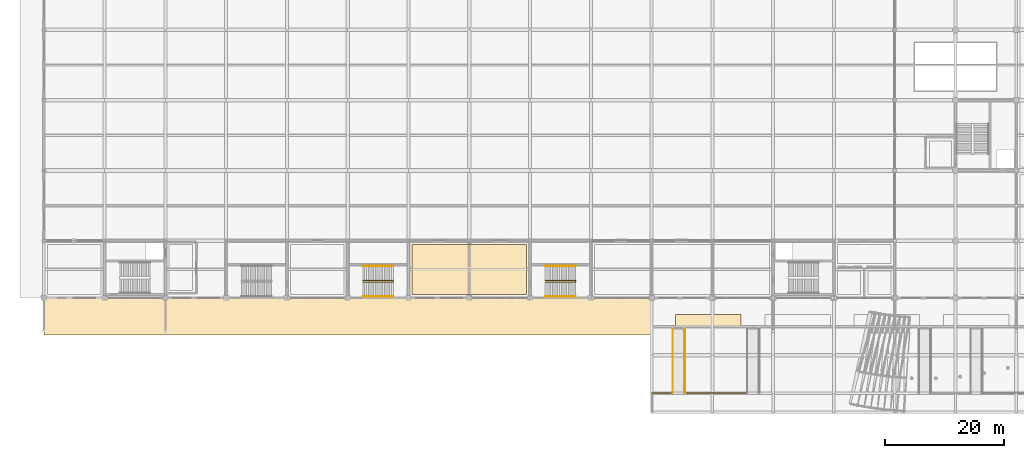
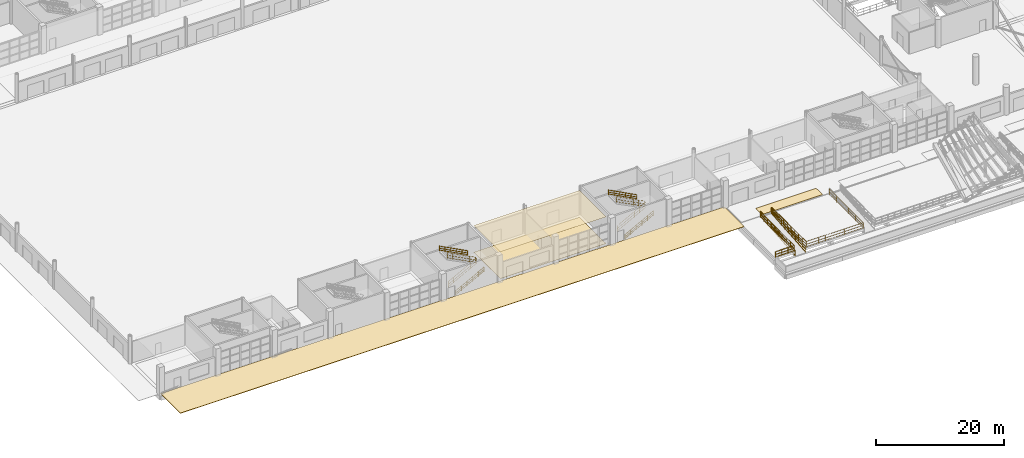
# One storey, part 109 of 124: 11 railings, 4 coverings.
"""IFC4 building model written with IfcOpenShell, lengths in metres."""

from ifc_helpers import new_model, si_unit, direction, frame, origin, origin_2d, place, context, subcontext, project, spatial, polyline, circle, outline, extrude, material, layer, layer_set, type_object, element, save


model = new_model("IFC4")

# Units and contexts
model_context = context("Model", 3, precision=1e-05, world=origin(), true_north=direction((0.0, 1.0)))
body_context = subcontext(model_context, "Body", "Model", "MODEL_VIEW")
ifc_project = project(units=[si_unit("LENGTHUNIT", "METRE"), si_unit("AREAUNIT", "SQUARE_METRE"), si_unit("VOLUMEUNIT", "CUBIC_METRE"), si_unit("PLANEANGLEUNIT", "RADIAN"), si_unit("MASSUNIT", "GRAM", prefix="KILO")], contexts=[model_context])

# Site, building, storey
site_placement = place(None, origin())
site = spatial("IfcSite", under=ifc_project, at=site_placement, CompositionType="ELEMENT")
building_placement = place(site_placement, origin())
building = spatial("IfcBuilding", under=site, at=building_placement, Name="Brelvane Convention Centre", CompositionType="ELEMENT")
storey_placement = place(building_placement, origin())
storey = spatial("IfcBuildingStorey", under=building, at=storey_placement, Name="L00", CompositionType="ELEMENT", Elevation=0.0)

# Coverings
ifc_material_1 = material(Name="Moisture-Resistant Acoustic Gypsum Ceiling Tile Grade A")
ifc_layer_1 = layer(ifc_material_1, 0.01806640625)
ifc_layer_set_1 = layer_set([ifc_layer_1], Name="Moisture-Resistant Acoustic Gypsum Ceiling Tile Grade A")
covering_type_1 = type_object("IfcCoveringType", Name="Interior Finish CL-GYP-18", PredefinedType="CEILING", material=ifc_layer_set_1)
covering_1_placement = place(storey_placement, frame((0.0, 0.0, 5.1220703125)))
element("IfcCovering", 1, at=covering_1_placement, inside=storey, type_object=covering_type_1, Name="Delegate Accreditation Desk Hall Acoustic Ceiling (CL-GYP-18)", PredefinedType="CEILING", context=body_context, shape_type="SweptSolid", body=[
    extrude(outline(polyline([(61.830078125, 19.830078125), (80.969970703125, 19.830078125), (80.969970703125, 28.169921875), (61.830078125, 28.169921875), (61.830078125, 19.830078125)])), origin(), (0.0, 0.0, 1.0), 0.017822265625),
])
ifc_material_2 = material(Name="Solution-Dyed Heavy Contract Wool Carpet Class 1")
ifc_layer_2 = layer(ifc_material_2, 0.02197265625)
ifc_layer_set_2 = layer_set([ifc_layer_2], Name="Solution-Dyed Heavy Contract Wool Carpet Class 1")
covering_type_2 = type_object("IfcCoveringType", Name="Interior Finish FL-CPT-22", PredefinedType="FLOORING", material=ifc_layer_set_2)
covering_2_placement = place(storey_placement, origin())
element("IfcCovering", 2, at=covering_2_placement, inside=storey, type_object=covering_type_2, Name="Delegate Accreditation Desk Hall Floor Finish (FL-CPT-22)", PredefinedType="FLOORING", context=body_context, shape_type="SweptSolid", body=[
    extrude(outline(polyline([(61.830078125, 19.830078125), (80.969970703125, 19.830078125), (80.969970703125, 28.169921875), (61.830078125, 28.169921875), (61.830078125, 19.830078125)])), origin(), (0.0, 0.0, 1.0), 0.02197265625),
])
ifc_material_3 = material(Name="Concrete M40", Category="concrete")
ifc_layer_3 = layer(ifc_material_3, 0.080078125)
ifc_layer_set_3 = layer_set([ifc_layer_3], Name="Concrete M40")
covering_type_3 = type_object("IfcCoveringType", Name="Outdoor Plaza Paving PV-80", PredefinedType="USERDEFINED", material=ifc_layer_set_3)
covering_3_placement = place(storey_placement, origin())
element("IfcCovering", 3, at=covering_3_placement, inside=storey, type_object=covering_type_3, Name="Outdoor Arrival Plaza Paving SOUTH-FORECOURT-W", ObjectType="PAVING", PredefinedType="USERDEFINED", context=body_context, shape_type="SweptSolid", body=[
    extrude(outline(polyline([(0.0, 13.0), (102.0, 13.0), (102.0, 19.199951171875), (0.0, 19.199951171875), (0.0, 13.0)])), origin(), (0.0, 0.0, 1.0), 0.080078125),
])
covering_4_placement = place(storey_placement, origin())
element("IfcCovering", 4, at=covering_4_placement, inside=storey, type_object=covering_type_3, Name="Boulevard Promenade Stone Walk 1", ObjectType="PAVING", PredefinedType="USERDEFINED", context=body_context, shape_type="SweptSolid", body=[
    extrude(outline(polyline([(106.0, 14.39990234375), (117.0, 14.39990234375), (117.0, 16.39990234375), (106.0, 16.39990234375), (106.0, 14.39990234375)])), origin(), (0.0, 0.0, 1.0), 0.080078125),
])

# Railings
ifc_material_4 = material(Name="Steel E350 (350 MPa)", Category="steel")
railing_type_1 = type_object("IfcRailingType", Name="Railing GR-EXT-1", PredefinedType="GUARDRAIL", material=ifc_material_4)
railing_1_placement = place(storey_placement, frame((102.080078125, 3.280029296875, 0.0)))
element("IfcRailing", 5, at=railing_1_placement, inside=storey, type_object=railing_type_1, Name="Railing GR-EXT-1 L00-plaza_step_seg_1", PredefinedType="GUARDRAIL", context=body_context, shape_type="SweptSolid", body=[
    extrude(circle(Radius=0.02392578125, at=origin_2d()), frame((0.0, 0.0, 1.1259765625), z_axis=(1.0, 0.0, 0.0), x_axis=(0.0, 1.0, 0.0)), (0.0, 0.0, 1.0), 3.35986328125),
    extrude(circle(Radius=0.02392578125, at=origin_2d()), frame((0.0, 0.0, 0.597900390625), z_axis=(1.0, 0.0, 0.0), x_axis=(0.0, 1.0, 0.0)), (0.0, 0.0, 1.0), 3.35986328125),
    extrude(circle(Radius=0.02392578125, at=origin_2d()), frame((0.0, 0.0, 0.139892578125), z_axis=(1.0, 0.0, 0.0), x_axis=(0.0, 1.0, 0.0)), (0.0, 0.0, 1.0), 3.35986328125),
    extrude(circle(Radius=0.02392578125, at=origin_2d()), frame((3.35986328125, 0.0, 1.1259765625), z_axis=(0.0, 1.0, 0.0), x_axis=(-1.0, 0.0, 0.0)), (0.0, 0.0, 1.0), 10.659912109375),
    extrude(circle(Radius=0.02392578125, at=origin_2d()), frame((3.35986328125, 0.0, 0.597900390625), z_axis=(0.0, 1.0, 0.0), x_axis=(-1.0, 0.0, 0.0)), (0.0, 0.0, 1.0), 10.659912109375),
    extrude(circle(Radius=0.02392578125, at=origin_2d()), frame((3.35986328125, 0.0, 0.139892578125), z_axis=(0.0, 1.0, 0.0), x_axis=(-1.0, 0.0, 0.0)), (0.0, 0.0, 1.0), 10.659912109375),
    extrude(circle(Radius=0.02099609375, at=origin_2d()), origin(), (0.0, 0.0, 1.0), 1.101806640625),
    extrude(circle(Radius=0.02099609375, at=origin_2d()), frame((1.119873046875, 0.0, 0.0)), (0.0, 0.0, 1.0), 1.101806640625),
    extrude(circle(Radius=0.02099609375, at=origin_2d()), frame((2.239990234375, 0.0, 0.0)), (0.0, 0.0, 1.0), 1.101806640625),
    extrude(circle(Radius=0.02099609375, at=origin_2d()), frame((3.35986328125, 0.0, 0.0)), (0.0, 0.0, 1.0), 1.101806640625),
    extrude(circle(Radius=0.02099609375, at=origin_2d()), frame((3.35986328125, 1.184326171875, 0.0)), (0.0, 0.0, 1.0), 1.101806640625),
    extrude(circle(Radius=0.02099609375, at=origin_2d()), frame((3.35986328125, 2.368896484375, 0.0)), (0.0, 0.0, 1.0), 1.101806640625),
    extrude(circle(Radius=0.02099609375, at=origin_2d()), frame((3.35986328125, 3.55322265625, 0.0)), (0.0, 0.0, 1.0), 1.101806640625),
    extrude(circle(Radius=0.02099609375, at=origin_2d()), frame((3.35986328125, 4.73779296875, 0.0)), (0.0, 0.0, 1.0), 1.101806640625),
    extrude(circle(Radius=0.02099609375, at=origin_2d()), frame((3.35986328125, 5.922119140625, 0.0)), (0.0, 0.0, 1.0), 1.101806640625),
    extrude(circle(Radius=0.02099609375, at=origin_2d()), frame((3.35986328125, 7.106689453125, 0.0)), (0.0, 0.0, 1.0), 1.101806640625),
    extrude(circle(Radius=0.02099609375, at=origin_2d()), frame((3.35986328125, 8.291015625, 0.0)), (0.0, 0.0, 1.0), 1.101806640625),
    extrude(circle(Radius=0.02099609375, at=origin_2d()), frame((3.35986328125, 9.4755859375, 0.0)), (0.0, 0.0, 1.0), 1.101806640625),
    extrude(circle(Radius=0.02099609375, at=origin_2d()), frame((3.35986328125, 10.659912109375, 0.0)), (0.0, 0.0, 1.0), 1.101806640625),
])
railing_2_placement = place(storey_placement, frame((107.60009765625, 13.93994140625, 0.0)))
element("IfcRailing", 6, at=railing_2_placement, inside=storey, type_object=railing_type_1, Name="Railing GR-EXT-1 L00-plaza_ramp_e_1", PredefinedType="GUARDRAIL", context=body_context, shape_type="SweptSolid", body=[
    extrude(circle(Radius=0.02392578125, at=origin_2d()), frame((0.0, 0.0, 1.1259765625), z_axis=(0.0, -1.0, 0.0), x_axis=(1.0, 0.0, 0.0)), (0.0, 0.0, 1.0), 10.659912109375),
    extrude(circle(Radius=0.02392578125, at=origin_2d()), frame((0.0, 0.0, 0.597900390625), z_axis=(0.0, -1.0, 0.0), x_axis=(1.0, 0.0, 0.0)), (0.0, 0.0, 1.0), 10.659912109375),
    extrude(circle(Radius=0.02392578125, at=origin_2d()), frame((0.0, 0.0, 0.139892578125), z_axis=(0.0, -1.0, 0.0), x_axis=(1.0, 0.0, 0.0)), (0.0, 0.0, 1.0), 10.659912109375),
    extrude(circle(Radius=0.02099609375, at=origin_2d()), origin(), (0.0, 0.0, 1.0), 1.101806640625),
    extrude(circle(Radius=0.02099609375, at=origin_2d()), frame((0.0, -1.184326171875, 0.0)), (0.0, 0.0, 1.0), 1.101806640625),
    extrude(circle(Radius=0.02099609375, at=origin_2d()), frame((0.0, -2.368896484375, 0.0)), (0.0, 0.0, 1.0), 1.101806640625),
    extrude(circle(Radius=0.02099609375, at=origin_2d()), frame((0.0, -3.55322265625, 0.0)), (0.0, 0.0, 1.0), 1.101806640625),
    extrude(circle(Radius=0.02099609375, at=origin_2d()), frame((0.0, -4.73779296875, 0.0)), (0.0, 0.0, 1.0), 1.101806640625),
    extrude(circle(Radius=0.02099609375, at=origin_2d()), frame((0.0, -5.922119140625, 0.0)), (0.0, 0.0, 1.0), 1.101806640625),
    extrude(circle(Radius=0.02099609375, at=origin_2d()), frame((0.0, -7.106689453125, 0.0)), (0.0, 0.0, 1.0), 1.101806640625),
    extrude(circle(Radius=0.02099609375, at=origin_2d()), frame((0.0, -8.291015625, 0.0)), (0.0, 0.0, 1.0), 1.101806640625),
    extrude(circle(Radius=0.02099609375, at=origin_2d()), frame((0.0, -9.4755859375, 0.0)), (0.0, 0.0, 1.0), 1.101806640625),
    extrude(circle(Radius=0.02099609375, at=origin_2d()), frame((0.0, -10.659912109375, 0.0)), (0.0, 0.0, 1.0), 1.101806640625),
])
railing_3_placement = place(storey_placement, frame((105.56005859375, 3.199951171875, -0.89990234375)))
element("IfcRailing", 7, at=railing_3_placement, inside=storey, type_object=railing_type_1, Name="Ramp AR-01 Sloped Guard (W)", PredefinedType="GUARDRAIL", context=body_context, shape_type="SweptSolid", body=[
    extrude(circle(Radius=0.02392578125, at=origin_2d()), frame((0.0, 0.0, 1.1259765625), z_axis=(0.0, 0.99654653501, 0.083036158149), x_axis=(-1.0, 0.0, 0.0)), (0.0, 0.0, 1.0), 10.83740234375),
    extrude(circle(Radius=0.02392578125, at=origin_2d()), frame((0.0, 0.0, 0.597900390625), z_axis=(0.0, 0.99654653501, 0.083036158149), x_axis=(-1.0, 0.0, 0.0)), (0.0, 0.0, 1.0), 10.83740234375),
    extrude(circle(Radius=0.02392578125, at=origin_2d()), frame((0.0, 0.0, 0.139892578125), z_axis=(0.0, 0.99654653501, 0.083036158149), x_axis=(-1.0, 0.0, 0.0)), (0.0, 0.0, 1.0), 10.83740234375),
    extrude(circle(Radius=0.02099609375, at=origin_2d()), origin(), (0.0, 0.0, 1.0), 1.101806640625),
    extrude(circle(Radius=0.02099609375, at=origin_2d()), frame((0.0, 1.080078125, 0.090087890625)), (0.0, 0.0, 1.0), 1.101806640625),
    extrude(circle(Radius=0.02099609375, at=origin_2d()), frame((0.0, 2.159912109375, 0.179931640625)), (0.0, 0.0, 1.0), 1.101806640625),
    extrude(circle(Radius=0.02099609375, at=origin_2d()), frame((0.0, 3.239990234375, 0.27001953125)), (0.0, 0.0, 1.0), 1.101806640625),
    extrude(circle(Radius=0.02099609375, at=origin_2d()), frame((0.0, 4.320068359375, 0.35986328125)), (0.0, 0.0, 1.0), 1.101806640625),
    extrude(circle(Radius=0.02099609375, at=origin_2d()), frame((0.0, 5.39990234375, 0.449951171875)), (0.0, 0.0, 1.0), 1.101806640625),
    extrude(circle(Radius=0.02099609375, at=origin_2d()), frame((0.0, 6.47998046875, 0.5400390625)), (0.0, 0.0, 1.0), 1.101806640625),
    extrude(circle(Radius=0.02099609375, at=origin_2d()), frame((0.0, 7.56005859375, 0.6298828125)), (0.0, 0.0, 1.0), 1.101806640625),
    extrude(circle(Radius=0.02099609375, at=origin_2d()), frame((0.0, 8.64013671875, 0.719970703125)), (0.0, 0.0, 1.0), 1.101806640625),
    extrude(circle(Radius=0.02099609375, at=origin_2d()), frame((0.0, 9.719970703125, 0.809814453125)), (0.0, 0.0, 1.0), 1.101806640625),
    extrude(circle(Radius=0.02099609375, at=origin_2d()), frame((0.0, 10.800048828125, 0.89990234375)), (0.0, 0.0, 1.0), 1.101806640625),
])
railing_4_placement = place(storey_placement, frame((107.47998046875, 3.199951171875, -0.89990234375)))
element("IfcRailing", 8, at=railing_4_placement, inside=storey, type_object=railing_type_1, Name="Ramp AR-01 Sloped Guard (E)", PredefinedType="GUARDRAIL", context=body_context, shape_type="SweptSolid", body=[
    extrude(circle(Radius=0.02392578125, at=origin_2d()), frame((0.0, 0.0, 1.1259765625), z_axis=(0.0, 0.99654653501, 0.083036158149), x_axis=(-1.0, 0.0, 0.0)), (0.0, 0.0, 1.0), 10.83740234375),
    extrude(circle(Radius=0.02392578125, at=origin_2d()), frame((0.0, 0.0, 0.597900390625), z_axis=(0.0, 0.99654653501, 0.083036158149), x_axis=(-1.0, 0.0, 0.0)), (0.0, 0.0, 1.0), 10.83740234375),
    extrude(circle(Radius=0.02392578125, at=origin_2d()), frame((0.0, 0.0, 0.139892578125), z_axis=(0.0, 0.99654653501, 0.083036158149), x_axis=(-1.0, 0.0, 0.0)), (0.0, 0.0, 1.0), 10.83740234375),
    extrude(circle(Radius=0.02099609375, at=origin_2d()), origin(), (0.0, 0.0, 1.0), 1.101806640625),
    extrude(circle(Radius=0.02099609375, at=origin_2d()), frame((0.0, 1.080078125, 0.090087890625)), (0.0, 0.0, 1.0), 1.101806640625),
    extrude(circle(Radius=0.02099609375, at=origin_2d()), frame((0.0, 2.159912109375, 0.179931640625)), (0.0, 0.0, 1.0), 1.101806640625),
    extrude(circle(Radius=0.02099609375, at=origin_2d()), frame((0.0, 3.239990234375, 0.27001953125)), (0.0, 0.0, 1.0), 1.101806640625),
    extrude(circle(Radius=0.02099609375, at=origin_2d()), frame((0.0, 4.320068359375, 0.35986328125)), (0.0, 0.0, 1.0), 1.101806640625),
    extrude(circle(Radius=0.02099609375, at=origin_2d()), frame((0.0, 5.39990234375, 0.449951171875)), (0.0, 0.0, 1.0), 1.101806640625),
    extrude(circle(Radius=0.02099609375, at=origin_2d()), frame((0.0, 6.47998046875, 0.5400390625)), (0.0, 0.0, 1.0), 1.101806640625),
    extrude(circle(Radius=0.02099609375, at=origin_2d()), frame((0.0, 7.56005859375, 0.6298828125)), (0.0, 0.0, 1.0), 1.101806640625),
    extrude(circle(Radius=0.02099609375, at=origin_2d()), frame((0.0, 8.64013671875, 0.719970703125)), (0.0, 0.0, 1.0), 1.101806640625),
    extrude(circle(Radius=0.02099609375, at=origin_2d()), frame((0.0, 9.719970703125, 0.809814453125)), (0.0, 0.0, 1.0), 1.101806640625),
    extrude(circle(Radius=0.02099609375, at=origin_2d()), frame((0.0, 10.800048828125, 0.89990234375)), (0.0, 0.0, 1.0), 1.101806640625),
])
railing_5_placement = place(storey_placement, frame((107.60009765625, 3.280029296875, 0.0)))
element("IfcRailing", 9, at=railing_5_placement, inside=storey, type_object=railing_type_1, Name="Railing GR-EXT-1 L00-plaza_step_seg_2", PredefinedType="GUARDRAIL", context=body_context, shape_type="SweptSolid", body=[
    extrude(circle(Radius=0.02392578125, at=origin_2d()), frame((0.0, 0.0, 1.1259765625), z_axis=(1.0, 0.0, 0.0), x_axis=(0.0, 1.0, 0.0)), (0.0, 0.0, 1.0), 10.33984375),
    extrude(circle(Radius=0.02392578125, at=origin_2d()), frame((0.0, 0.0, 0.597900390625), z_axis=(1.0, 0.0, 0.0), x_axis=(0.0, 1.0, 0.0)), (0.0, 0.0, 1.0), 10.33984375),
    extrude(circle(Radius=0.02392578125, at=origin_2d()), frame((0.0, 0.0, 0.139892578125), z_axis=(1.0, 0.0, 0.0), x_axis=(0.0, 1.0, 0.0)), (0.0, 0.0, 1.0), 10.33984375),
    extrude(circle(Radius=0.02392578125, at=origin_2d()), frame((10.33984375, 0.0, 1.1259765625), z_axis=(0.0, 1.0, 0.0), x_axis=(-1.0, 0.0, 0.0)), (0.0, 0.0, 1.0), 10.659912109375),
    extrude(circle(Radius=0.02392578125, at=origin_2d()), frame((10.33984375, 0.0, 0.597900390625), z_axis=(0.0, 1.0, 0.0), x_axis=(-1.0, 0.0, 0.0)), (0.0, 0.0, 1.0), 10.659912109375),
    extrude(circle(Radius=0.02392578125, at=origin_2d()), frame((10.33984375, 0.0, 0.139892578125), z_axis=(0.0, 1.0, 0.0), x_axis=(-1.0, 0.0, 0.0)), (0.0, 0.0, 1.0), 10.659912109375),
    extrude(circle(Radius=0.02099609375, at=origin_2d()), origin(), (0.0, 0.0, 1.0), 1.101806640625),
    extrude(circle(Radius=0.02099609375, at=origin_2d()), frame((1.14892578125, 0.0, 0.0)), (0.0, 0.0, 1.0), 1.101806640625),
    extrude(circle(Radius=0.02099609375, at=origin_2d()), frame((2.2978515625, 0.0, 0.0)), (0.0, 0.0, 1.0), 1.101806640625),
    extrude(circle(Radius=0.02099609375, at=origin_2d()), frame((3.446533203125, 0.0, 0.0)), (0.0, 0.0, 1.0), 1.101806640625),
    extrude(circle(Radius=0.02099609375, at=origin_2d()), frame((4.595458984375, 0.0, 0.0)), (0.0, 0.0, 1.0), 1.101806640625),
    extrude(circle(Radius=0.02099609375, at=origin_2d()), frame((5.744384765625, 0.0, 0.0)), (0.0, 0.0, 1.0), 1.101806640625),
    extrude(circle(Radius=0.02099609375, at=origin_2d()), frame((6.893310546875, 0.0, 0.0)), (0.0, 0.0, 1.0), 1.101806640625),
    extrude(circle(Radius=0.02099609375, at=origin_2d()), frame((8.0419921875, 0.0, 0.0)), (0.0, 0.0, 1.0), 1.101806640625),
    extrude(circle(Radius=0.02099609375, at=origin_2d()), frame((9.19091796875, 0.0, 0.0)), (0.0, 0.0, 1.0), 1.101806640625),
    extrude(circle(Radius=0.02099609375, at=origin_2d()), frame((10.33984375, 0.0, 0.0)), (0.0, 0.0, 1.0), 1.101806640625),
    extrude(circle(Radius=0.02099609375, at=origin_2d()), frame((10.33984375, 1.184326171875, 0.0)), (0.0, 0.0, 1.0), 1.101806640625),
    extrude(circle(Radius=0.02099609375, at=origin_2d()), frame((10.33984375, 2.368896484375, 0.0)), (0.0, 0.0, 1.0), 1.101806640625),
    extrude(circle(Radius=0.02099609375, at=origin_2d()), frame((10.33984375, 3.55322265625, 0.0)), (0.0, 0.0, 1.0), 1.101806640625),
    extrude(circle(Radius=0.02099609375, at=origin_2d()), frame((10.33984375, 4.73779296875, 0.0)), (0.0, 0.0, 1.0), 1.101806640625),
    extrude(circle(Radius=0.02099609375, at=origin_2d()), frame((10.33984375, 5.922119140625, 0.0)), (0.0, 0.0, 1.0), 1.101806640625),
    extrude(circle(Radius=0.02099609375, at=origin_2d()), frame((10.33984375, 7.106689453125, 0.0)), (0.0, 0.0, 1.0), 1.101806640625),
    extrude(circle(Radius=0.02099609375, at=origin_2d()), frame((10.33984375, 8.291015625, 0.0)), (0.0, 0.0, 1.0), 1.101806640625),
    extrude(circle(Radius=0.02099609375, at=origin_2d()), frame((10.33984375, 9.4755859375, 0.0)), (0.0, 0.0, 1.0), 1.101806640625),
    extrude(circle(Radius=0.02099609375, at=origin_2d()), frame((10.33984375, 10.659912109375, 0.0)), (0.0, 0.0, 1.0), 1.101806640625),
])
ifc_material_5 = material(Name="Steel E350 (350 MPa)", Category="steel")
railing_type_2 = type_object("IfcRailingType", Name="Stair Railing GR-ST-1", PredefinedType="GUARDRAIL", material=ifc_material_5)
railing_6_placement = place(storey_placement, frame((53.550048828125, 21.840087890625, -0.02001953125)))
element("IfcRailing", 10, at=railing_6_placement, inside=storey, type_object=railing_type_2, Name="Stair ST-09 L00 Inner Well Guard", PredefinedType="GUARDRAIL", context=body_context, shape_type="SweptSolid", body=[
    extrude(circle(Radius=0.02392578125, at=origin_2d()), frame((0.0, 0.0, 1.1259765625), z_axis=(0.88234943334, 0.0, 0.470594812429), x_axis=(0.0, 1.0, 0.0)), (0.0, 0.0, 1.0), 5.77978515625),
    extrude(circle(Radius=0.02392578125, at=origin_2d()), frame((0.0, 0.0, 0.597900390625), z_axis=(0.88234943334, 0.0, 0.470594812429), x_axis=(0.0, 1.0, 0.0)), (0.0, 0.0, 1.0), 5.77978515625),
    extrude(circle(Radius=0.02392578125, at=origin_2d()), frame((0.0, 0.0, 0.139892578125), z_axis=(0.88234943334, 0.0, 0.470594812429), x_axis=(0.0, 1.0, 0.0)), (0.0, 0.0, 1.0), 5.77978515625),
    extrude(circle(Radius=0.02392578125, at=origin_2d()), frame((5.099853515625, 0.0, 3.845947265625), z_axis=(0.0, 1.0, 0.0), x_axis=(-1.0, 0.0, 0.0)), (0.0, 0.0, 1.0), 0.31982421875),
    extrude(circle(Radius=0.02392578125, at=origin_2d()), frame((5.099853515625, 0.0, 3.31787109375), z_axis=(0.0, 1.0, 0.0), x_axis=(-1.0, 0.0, 0.0)), (0.0, 0.0, 1.0), 0.31982421875),
    extrude(circle(Radius=0.02392578125, at=origin_2d()), frame((5.099853515625, 0.0, 2.85986328125), z_axis=(0.0, 1.0, 0.0), x_axis=(-1.0, 0.0, 0.0)), (0.0, 0.0, 1.0), 0.31982421875),
    extrude(circle(Radius=0.02392578125, at=origin_2d()), frame((5.099853515625, 0.31982421875, 3.845947265625), z_axis=(-0.885218631674, 0.0, 0.465175207999), x_axis=(0.0, -1.0, 0.0)), (0.0, 0.0, 1.0), 5.76123046875),
    extrude(circle(Radius=0.02392578125, at=origin_2d()), frame((5.099853515625, 0.31982421875, 3.31787109375), z_axis=(-0.885218631674, 0.0, 0.465175207999), x_axis=(0.0, -1.0, 0.0)), (0.0, 0.0, 1.0), 5.76123046875),
    extrude(circle(Radius=0.02392578125, at=origin_2d()), frame((5.099853515625, 0.31982421875, 2.85986328125), z_axis=(-0.885218631674, 0.0, 0.465175207999), x_axis=(0.0, -1.0, 0.0)), (0.0, 0.0, 1.0), 5.76123046875),
    extrude(circle(Radius=0.02099609375, at=origin_2d()), origin(), (0.0, 0.0, 1.0), 1.101806640625),
    extrude(circle(Radius=0.02099609375, at=origin_2d()), frame((1.02001953125, 0.0, 0.5439453125)), (0.0, 0.0, 1.0), 1.101806640625),
    extrude(circle(Radius=0.02099609375, at=origin_2d()), frame((2.0400390625, 0.0, 1.087890625)), (0.0, 0.0, 1.0), 1.101806640625),
    extrude(circle(Radius=0.02099609375, at=origin_2d()), frame((3.059814453125, 0.0, 1.632080078125)), (0.0, 0.0, 1.0), 1.101806640625),
    extrude(circle(Radius=0.02099609375, at=origin_2d()), frame((4.079833984375, 0.0, 2.176025390625)), (0.0, 0.0, 1.0), 1.101806640625),
    extrude(circle(Radius=0.02099609375, at=origin_2d()), frame((5.099853515625, 0.0, 2.719970703125)), (0.0, 0.0, 1.0), 1.101806640625),
    extrude(circle(Radius=0.02099609375, at=origin_2d()), frame((5.099853515625, 0.31982421875, 2.719970703125)), (0.0, 0.0, 1.0), 1.101806640625),
    extrude(circle(Radius=0.02099609375, at=origin_2d()), frame((4.079833984375, 0.31982421875, 3.255859375)), (0.0, 0.0, 1.0), 1.101806640625),
    extrude(circle(Radius=0.02099609375, at=origin_2d()), frame((3.059814453125, 0.31982421875, 3.7919921875)), (0.0, 0.0, 1.0), 1.101806640625),
    extrude(circle(Radius=0.02099609375, at=origin_2d()), frame((2.0400390625, 0.31982421875, 4.327880859375)), (0.0, 0.0, 1.0), 1.101806640625),
    extrude(circle(Radius=0.02099609375, at=origin_2d()), frame((1.02001953125, 0.31982421875, 4.864013671875)), (0.0, 0.0, 1.0), 1.101806640625),
    extrude(circle(Radius=0.02099609375, at=origin_2d()), frame((0.0, 0.31982421875, 5.39990234375)), (0.0, 0.0, 1.0), 1.101806640625),
])
railing_7_placement = place(storey_placement, frame((84.14990234375, 21.840087890625, -0.02001953125)))
element("IfcRailing", 11, at=railing_7_placement, inside=storey, type_object=railing_type_2, Name="Stair ST-10 L00 Inner Well Guard", PredefinedType="GUARDRAIL", context=body_context, shape_type="SweptSolid", body=[
    extrude(circle(Radius=0.02392578125, at=origin_2d()), frame((0.0, 0.0, 1.1259765625), z_axis=(0.882358787245, 0.0, 0.470577273753), x_axis=(0.0, 1.0, 0.0)), (0.0, 0.0, 1.0), 5.780029296875),
    extrude(circle(Radius=0.02392578125, at=origin_2d()), frame((0.0, 0.0, 0.597900390625), z_axis=(0.882358787245, 0.0, 0.470577273753), x_axis=(0.0, 1.0, 0.0)), (0.0, 0.0, 1.0), 5.780029296875),
    extrude(circle(Radius=0.02392578125, at=origin_2d()), frame((0.0, 0.0, 0.139892578125), z_axis=(0.882358787245, 0.0, 0.470577273753), x_axis=(0.0, 1.0, 0.0)), (0.0, 0.0, 1.0), 5.780029296875),
    extrude(circle(Radius=0.02392578125, at=origin_2d()), frame((5.10009765625, 0.0, 3.845947265625), z_axis=(0.0, 1.0, 0.0), x_axis=(-1.0, 0.0, 0.0)), (0.0, 0.0, 1.0), 0.31982421875),
    extrude(circle(Radius=0.02392578125, at=origin_2d()), frame((5.10009765625, 0.0, 3.31787109375), z_axis=(0.0, 1.0, 0.0), x_axis=(-1.0, 0.0, 0.0)), (0.0, 0.0, 1.0), 0.31982421875),
    extrude(circle(Radius=0.02392578125, at=origin_2d()), frame((5.10009765625, 0.0, 2.85986328125), z_axis=(0.0, 1.0, 0.0), x_axis=(-1.0, 0.0, 0.0)), (0.0, 0.0, 1.0), 0.31982421875),
    extrude(circle(Radius=0.02392578125, at=origin_2d()), frame((5.10009765625, 0.31982421875, 3.845947265625), z_axis=(-0.885227801088, 0.0, 0.465157758379), x_axis=(0.0, -1.0, 0.0)), (0.0, 0.0, 1.0), 5.76123046875),
    extrude(circle(Radius=0.02392578125, at=origin_2d()), frame((5.10009765625, 0.31982421875, 3.31787109375), z_axis=(-0.885227801088, 0.0, 0.465157758379), x_axis=(0.0, -1.0, 0.0)), (0.0, 0.0, 1.0), 5.76123046875),
    extrude(circle(Radius=0.02392578125, at=origin_2d()), frame((5.10009765625, 0.31982421875, 2.85986328125), z_axis=(-0.885227801088, 0.0, 0.465157758379), x_axis=(0.0, -1.0, 0.0)), (0.0, 0.0, 1.0), 5.76123046875),
    extrude(circle(Radius=0.02099609375, at=origin_2d()), origin(), (0.0, 0.0, 1.0), 1.101806640625),
    extrude(circle(Radius=0.02099609375, at=origin_2d()), frame((1.02001953125, 0.0, 0.5439453125)), (0.0, 0.0, 1.0), 1.101806640625),
    extrude(circle(Radius=0.02099609375, at=origin_2d()), frame((2.0400390625, 0.0, 1.087890625)), (0.0, 0.0, 1.0), 1.101806640625),
    extrude(circle(Radius=0.02099609375, at=origin_2d()), frame((3.06005859375, 0.0, 1.632080078125)), (0.0, 0.0, 1.0), 1.101806640625),
    extrude(circle(Radius=0.02099609375, at=origin_2d()), frame((4.080078125, 0.0, 2.176025390625)), (0.0, 0.0, 1.0), 1.101806640625),
    extrude(circle(Radius=0.02099609375, at=origin_2d()), frame((5.10009765625, 0.0, 2.719970703125)), (0.0, 0.0, 1.0), 1.101806640625),
    extrude(circle(Radius=0.02099609375, at=origin_2d()), frame((5.10009765625, 0.31982421875, 2.719970703125)), (0.0, 0.0, 1.0), 1.101806640625),
    extrude(circle(Radius=0.02099609375, at=origin_2d()), frame((4.080078125, 0.31982421875, 3.255859375)), (0.0, 0.0, 1.0), 1.101806640625),
    extrude(circle(Radius=0.02099609375, at=origin_2d()), frame((3.06005859375, 0.31982421875, 3.7919921875)), (0.0, 0.0, 1.0), 1.101806640625),
    extrude(circle(Radius=0.02099609375, at=origin_2d()), frame((2.0400390625, 0.31982421875, 4.327880859375)), (0.0, 0.0, 1.0), 1.101806640625),
    extrude(circle(Radius=0.02099609375, at=origin_2d()), frame((1.02001953125, 0.31982421875, 4.864013671875)), (0.0, 0.0, 1.0), 1.101806640625),
    extrude(circle(Radius=0.02099609375, at=origin_2d()), frame((0.0, 0.31982421875, 5.39990234375)), (0.0, 0.0, 1.0), 1.101806640625),
])
ifc_material_6 = material(Name="Steel E350 (350 MPa)", Category="steel")
railing_type_3 = type_object("IfcRailingType", Name="Stair Railing HR-ST-1", PredefinedType="HANDRAIL", material=ifc_material_6)
railing_8_placement = place(storey_placement, frame((53.550048828125, 19.429931640625, -0.02001953125)))
element("IfcRailing", 12, at=railing_8_placement, inside=storey, type_object=railing_type_3, Name="Stair ST-09 L00 Outer Handrail F1", PredefinedType="HANDRAIL", context=body_context, shape_type="SweptSolid", body=[
    extrude(circle(Radius=0.02392578125, at=origin_2d()), frame((0.0, 0.0, 0.89599609375), z_axis=(0.88234943334, 0.0, 0.470594812429), x_axis=(0.0, 1.0, 0.0)), (0.0, 0.0, 1.0), 5.77978515625),
    extrude(circle(Radius=0.02392578125, at=origin_2d()), frame((0.0, 0.0, 0.478271484375), z_axis=(0.88234943334, 0.0, 0.470594812429), x_axis=(0.0, 1.0, 0.0)), (0.0, 0.0, 1.0), 5.77978515625),
    extrude(circle(Radius=0.02392578125, at=origin_2d()), frame((0.0, 0.0, 0.139892578125), z_axis=(0.88234943334, 0.0, 0.470594812429), x_axis=(0.0, 1.0, 0.0)), (0.0, 0.0, 1.0), 5.77978515625),
    extrude(circle(Radius=0.02099609375, at=origin_2d()), origin(), (0.0, 0.0, 1.0), 0.871826171875),
    extrude(circle(Radius=0.02099609375, at=origin_2d()), frame((1.02001953125, 0.0, 0.5439453125)), (0.0, 0.0, 1.0), 0.871826171875),
    extrude(circle(Radius=0.02099609375, at=origin_2d()), frame((2.0400390625, 0.0, 1.087890625)), (0.0, 0.0, 1.0), 0.871826171875),
    extrude(circle(Radius=0.02099609375, at=origin_2d()), frame((3.059814453125, 0.0, 1.632080078125)), (0.0, 0.0, 1.0), 0.871826171875),
    extrude(circle(Radius=0.02099609375, at=origin_2d()), frame((4.079833984375, 0.0, 2.176025390625)), (0.0, 0.0, 1.0), 0.871826171875),
    extrude(circle(Radius=0.02099609375, at=origin_2d()), frame((5.099853515625, 0.0, 2.719970703125)), (0.0, 0.0, 1.0), 0.871826171875),
])
railing_9_placement = place(storey_placement, frame((58.64990234375, 24.570068359375, 2.699951171875)))
element("IfcRailing", 13, at=railing_9_placement, inside=storey, type_object=railing_type_3, Name="Stair ST-09 L00 Outer Handrail F2", PredefinedType="HANDRAIL", context=body_context, shape_type="SweptSolid", body=[
    extrude(circle(Radius=0.02392578125, at=origin_2d()), frame((0.0, 0.0, 0.89599609375), z_axis=(-0.885218631674, 0.0, 0.465175207999), x_axis=(0.0, -1.0, 0.0)), (0.0, 0.0, 1.0), 5.76123046875),
    extrude(circle(Radius=0.02392578125, at=origin_2d()), frame((0.0, 0.0, 0.478271484375), z_axis=(-0.885218631674, 0.0, 0.465175207999), x_axis=(0.0, -1.0, 0.0)), (0.0, 0.0, 1.0), 5.76123046875),
    extrude(circle(Radius=0.02392578125, at=origin_2d()), frame((0.0, 0.0, 0.139892578125), z_axis=(-0.885218631674, 0.0, 0.465175207999), x_axis=(0.0, -1.0, 0.0)), (0.0, 0.0, 1.0), 5.76123046875),
    extrude(circle(Radius=0.02099609375, at=origin_2d()), origin(), (0.0, 0.0, 1.0), 0.871826171875),
    extrude(circle(Radius=0.02099609375, at=origin_2d()), frame((-1.02001953125, 0.0, 0.535888671875)), (0.0, 0.0, 1.0), 0.871826171875),
    extrude(circle(Radius=0.02099609375, at=origin_2d()), frame((-2.0400390625, 0.0, 1.072021484375)), (0.0, 0.0, 1.0), 0.871826171875),
    extrude(circle(Radius=0.02099609375, at=origin_2d()), frame((-3.059814453125, 0.0, 1.60791015625)), (0.0, 0.0, 1.0), 0.871826171875),
    extrude(circle(Radius=0.02099609375, at=origin_2d()), frame((-4.079833984375, 0.0, 2.14404296875)), (0.0, 0.0, 1.0), 0.871826171875),
    extrude(circle(Radius=0.02099609375, at=origin_2d()), frame((-5.099853515625, 0.0, 2.679931640625)), (0.0, 0.0, 1.0), 0.871826171875),
])
railing_10_placement = place(storey_placement, frame((84.14990234375, 19.429931640625, -0.02001953125)))
element("IfcRailing", 14, at=railing_10_placement, inside=storey, type_object=railing_type_3, Name="Stair ST-10 L00 Outer Handrail F1", PredefinedType="HANDRAIL", context=body_context, shape_type="SweptSolid", body=[
    extrude(circle(Radius=0.02392578125, at=origin_2d()), frame((0.0, 0.0, 0.89599609375), z_axis=(0.882358787245, 0.0, 0.470577273753), x_axis=(0.0, 1.0, 0.0)), (0.0, 0.0, 1.0), 5.780029296875),
    extrude(circle(Radius=0.02392578125, at=origin_2d()), frame((0.0, 0.0, 0.478271484375), z_axis=(0.882358787245, 0.0, 0.470577273753), x_axis=(0.0, 1.0, 0.0)), (0.0, 0.0, 1.0), 5.780029296875),
    extrude(circle(Radius=0.02392578125, at=origin_2d()), frame((0.0, 0.0, 0.139892578125), z_axis=(0.882358787245, 0.0, 0.470577273753), x_axis=(0.0, 1.0, 0.0)), (0.0, 0.0, 1.0), 5.780029296875),
    extrude(circle(Radius=0.02099609375, at=origin_2d()), origin(), (0.0, 0.0, 1.0), 0.871826171875),
    extrude(circle(Radius=0.02099609375, at=origin_2d()), frame((1.02001953125, 0.0, 0.5439453125)), (0.0, 0.0, 1.0), 0.871826171875),
    extrude(circle(Radius=0.02099609375, at=origin_2d()), frame((2.0400390625, 0.0, 1.087890625)), (0.0, 0.0, 1.0), 0.871826171875),
    extrude(circle(Radius=0.02099609375, at=origin_2d()), frame((3.06005859375, 0.0, 1.632080078125)), (0.0, 0.0, 1.0), 0.871826171875),
    extrude(circle(Radius=0.02099609375, at=origin_2d()), frame((4.080078125, 0.0, 2.176025390625)), (0.0, 0.0, 1.0), 0.871826171875),
    extrude(circle(Radius=0.02099609375, at=origin_2d()), frame((5.10009765625, 0.0, 2.719970703125)), (0.0, 0.0, 1.0), 0.871826171875),
])
railing_11_placement = place(storey_placement, frame((89.25, 24.570068359375, 2.699951171875)))
element("IfcRailing", 15, at=railing_11_placement, inside=storey, type_object=railing_type_3, Name="Stair ST-10 L00 Outer Handrail F2", PredefinedType="HANDRAIL", context=body_context, shape_type="SweptSolid", body=[
    extrude(circle(Radius=0.02392578125, at=origin_2d()), frame((0.0, 0.0, 0.89599609375), z_axis=(-0.885227801088, 0.0, 0.465157758379), x_axis=(0.0, -1.0, 0.0)), (0.0, 0.0, 1.0), 5.76123046875),
    extrude(circle(Radius=0.02392578125, at=origin_2d()), frame((0.0, 0.0, 0.478271484375), z_axis=(-0.885227801088, 0.0, 0.465157758379), x_axis=(0.0, -1.0, 0.0)), (0.0, 0.0, 1.0), 5.76123046875),
    extrude(circle(Radius=0.02392578125, at=origin_2d()), frame((0.0, 0.0, 0.139892578125), z_axis=(-0.885227801088, 0.0, 0.465157758379), x_axis=(0.0, -1.0, 0.0)), (0.0, 0.0, 1.0), 5.76123046875),
    extrude(circle(Radius=0.02099609375, at=origin_2d()), origin(), (0.0, 0.0, 1.0), 0.871826171875),
    extrude(circle(Radius=0.02099609375, at=origin_2d()), frame((-1.02001953125, 0.0, 0.535888671875)), (0.0, 0.0, 1.0), 0.871826171875),
    extrude(circle(Radius=0.02099609375, at=origin_2d()), frame((-2.0400390625, 0.0, 1.072021484375)), (0.0, 0.0, 1.0), 0.871826171875),
    extrude(circle(Radius=0.02099609375, at=origin_2d()), frame((-3.06005859375, 0.0, 1.60791015625)), (0.0, 0.0, 1.0), 0.871826171875),
    extrude(circle(Radius=0.02099609375, at=origin_2d()), frame((-4.080078125, 0.0, 2.14404296875)), (0.0, 0.0, 1.0), 0.871826171875),
    extrude(circle(Radius=0.02099609375, at=origin_2d()), frame((-5.10009765625, 0.0, 2.679931640625)), (0.0, 0.0, 1.0), 0.871826171875),
])

save(model, "model.ifc")
